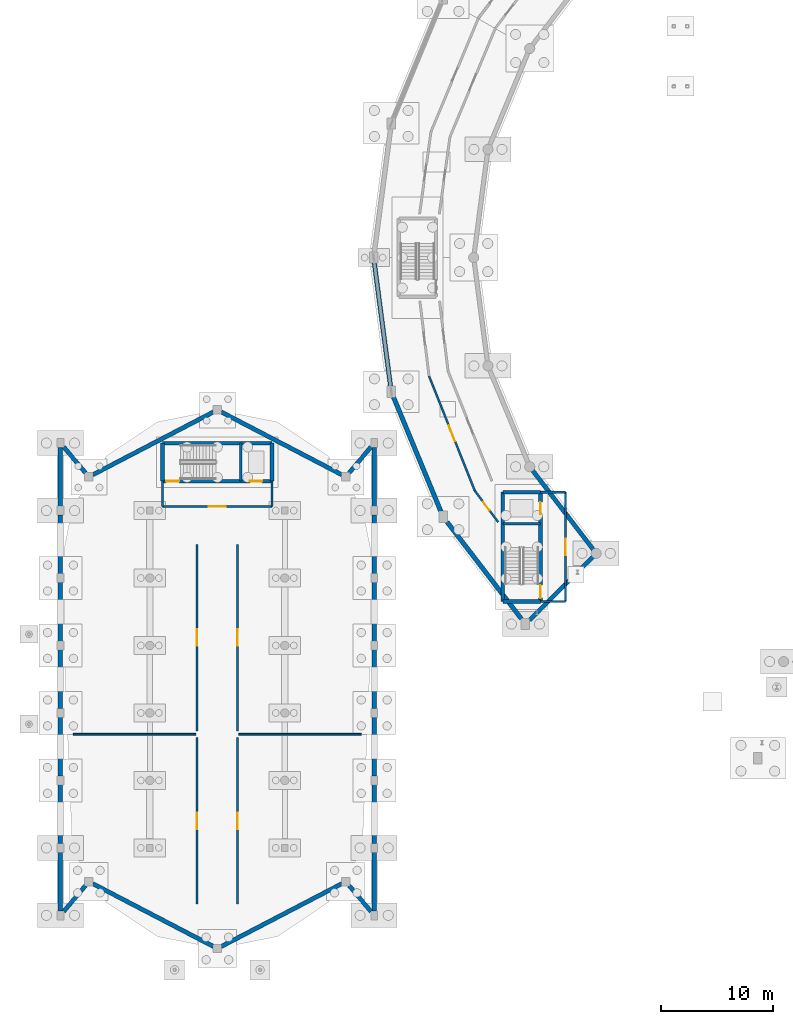
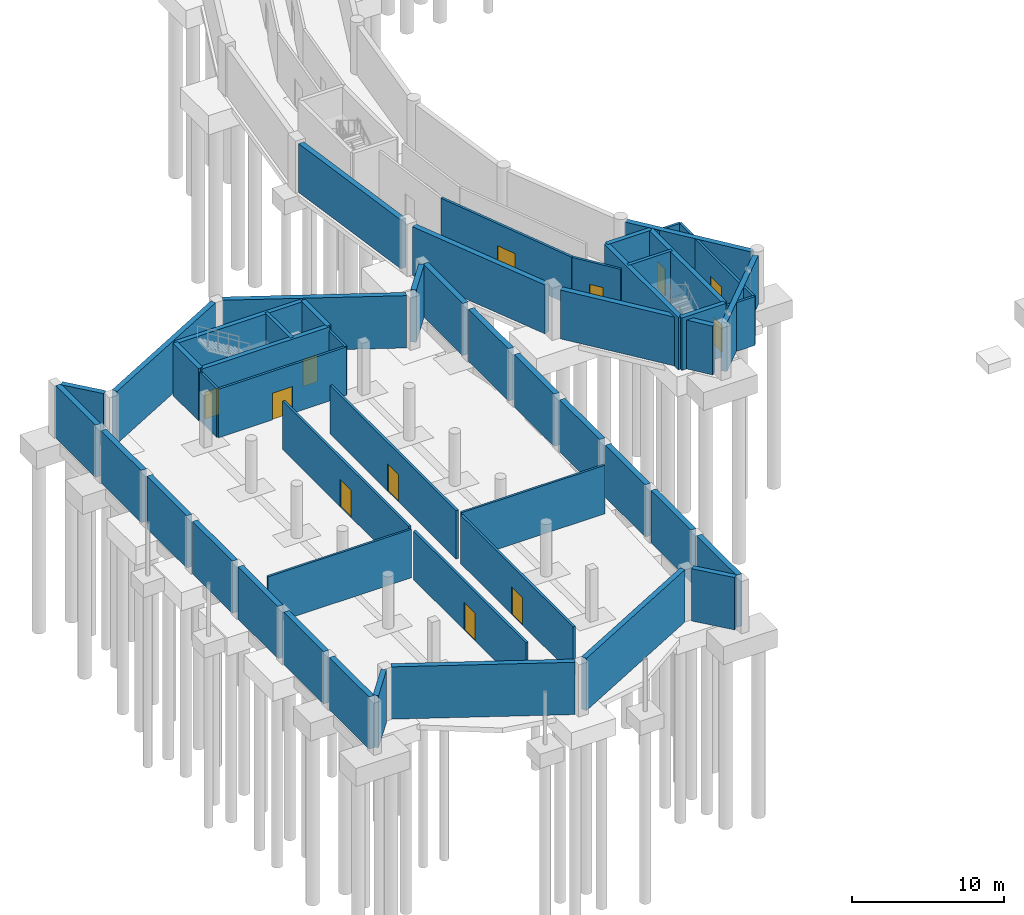
# One storey, part 30 of 43: 51 walls, 12 doors, 12 openings.
"""IFC4 building model written with IfcOpenShell, lengths in metres."""

from ifc_helpers import new_model, si_unit, direction, frame, frame_2d, origin, place, context, subcontext, project, spatial, rectangle, extrude, material, layer, layer_set, type_object, element, fill, save


model = new_model("IFC4")

# Units and contexts
model_context = context("Model", 3, precision=1e-05, world=origin(), true_north=direction((0.0, 1.0)))
body_context = subcontext(model_context, "Body", "Model", "MODEL_VIEW")
ifc_project = project(units=[si_unit("LENGTHUNIT", "METRE"), si_unit("AREAUNIT", "SQUARE_METRE"), si_unit("VOLUMEUNIT", "CUBIC_METRE"), si_unit("PLANEANGLEUNIT", "RADIAN"), si_unit("MASSUNIT", "GRAM", prefix="KILO")], contexts=[model_context])

# Site, building, storey
site_placement = place(None, origin())
site = spatial("IfcSite", under=ifc_project, at=site_placement, CompositionType="ELEMENT")
building_placement = place(site_placement, origin())
building = spatial("IfcBuilding", under=site, at=building_placement, Name="Vespera Passage Community Centre", CompositionType="ELEMENT")
storey_placement = place(building_placement, frame((0.0, 0.0, -4.199951171875)))
storey = spatial("IfcBuildingStorey", under=building, at=storey_placement, Name="B1", CompositionType="ELEMENT", Elevation=-4.199951171875)

# Wall, openings, doors
ifc_material_1 = material(Name="Concrete f'c 45 MPa", Category="concrete")
ifc_layer_1 = layer(ifc_material_1, 0.340087890625)
ifc_layer_set_1 = layer_set([ifc_layer_1], Name="Concrete f'c 45 MPa")
wall_type_1 = type_object("IfcWallType", Name="WT-CORE-340I", PredefinedType="SHEAR", material=ifc_layer_set_1)
wall_1_placement = place(storey_placement, frame((46.73095703125, 44.6298828125, 0.0), z_axis=(0.0, 0.0, 1.0), x_axis=(0.0, -1.0, 0.0)))
wall_1 = element("IfcWall", 1, at=wall_1_placement, inside=storey, type_object=wall_type_1, Name="Core C3 B1 Shear Wall FRONT", PredefinedType="SHEAR", context=body_context, shape_type="SweptSolid", body=[
    extrude(rectangle(XDim=9.72998046875, YDim=0.340087890625, at=frame_2d((4.864990234375, 0.0))), origin(), (0.0, 0.0, 1.0), 4.199951171875),
])
opening_1_placement = place(wall_1_placement, frame((8.264892578125, 0.0, 0.0)))
opening_1 = element("IfcOpeningElement", 2, at=opening_1_placement, cuts=wall_1, Name="Opening DT-STAIR-90", PredefinedType="OPENING", context=body_context, shape_type="SweptSolid", body=[
    extrude(rectangle(XDim=1.14990234375, YDim=2.14990234375, at=frame_2d((0.574951171875, 1.074951171875))), frame((0.0, 0.179931640625, 0.0), z_axis=(0.0, -1.0, 0.0), x_axis=(1.0, 0.0, 0.0)), (0.0, 0.0, 1.0), 0.360107421875),
])
opening_2_placement = place(wall_1_placement, frame((0.8701171875, 0.0, 0.0)))
opening_2 = element("IfcOpeningElement", 3, at=opening_2_placement, cuts=wall_1, Name="Opening DT-LIFT-110", PredefinedType="OPENING", context=body_context, shape_type="SweptSolid", body=[
    extrude(rectangle(XDim=1.10009765625, YDim=2.14990234375, at=frame_2d((0.550048828125, 1.074951171875))), frame((0.0, 0.179931640625, 0.0), z_axis=(0.0, -1.0, 0.0), x_axis=(1.0, 0.0, 0.0)), (0.0, 0.0, 1.0), 0.360107421875),
])
ifc_material_2 = material(Name="Painted hollow-metal acoustic door", Category="steel")
door_type_1 = type_object("IfcDoorType", Name="DT-LIFT-110", OperationType="NOTDEFINED", PredefinedType="DOOR", material=ifc_material_2)
door_1_placement = place(opening_2_placement, origin())
door_1 = element("IfcDoor", 4, at=door_1_placement, inside=storey, type_object=door_type_1, Name="Elevator EL-01 B1 Landing Door LD-009", OperationType="SLIDING_TO_LEFT", OverallHeight=2.14990234375, OverallWidth=1.10009765625, PredefinedType="DOOR", context=body_context, shape_type="SweptSolid", body=[
    extrude(rectangle(XDim=1.10009765625, YDim=2.14990234375, at=frame_2d((0.550048828125, 1.074951171875))), frame((0.0, 0.02490234375, 0.0), z_axis=(0.0, -1.0, 0.0), x_axis=(1.0, 0.0, 0.0)), (0.0, 0.0, 1.0), 0.050048828125),
])
fill(opening_2, door_1)
ifc_material_3 = material(Name="Painted hollow-metal acoustic door", Category="steel")
door_type_2 = type_object("IfcDoorType", Name="DT-STAIR-90", OperationType="NOTDEFINED", PredefinedType="DOOR", material=ifc_material_3)
door_2_placement = place(opening_1_placement, origin())
door_2 = element("IfcDoor", 5, at=door_2_placement, inside=storey, type_object=door_type_2, Name="Core C3 B1 Exit Stair Door D-072", OperationType="SINGLE_SWING_RIGHT", OverallHeight=2.14990234375, OverallWidth=1.14990234375, PredefinedType="DOOR", context=body_context, shape_type="SweptSolid", body=[
    extrude(rectangle(XDim=1.14990234375, YDim=2.14990234375, at=frame_2d((0.574951171875, 1.074951171875))), frame((0.0, 0.02490234375, 0.0), z_axis=(0.0, -1.0, 0.0), x_axis=(1.0, 0.0, 0.0)), (0.0, 0.0, 1.0), 0.050048828125),
])
fill(opening_1, door_2)

# Walls
wall_2_placement = place(storey_placement, frame((46.73095703125, 34.89990234375, 0.0), z_axis=(0.0, 0.0, 1.0), x_axis=(-1.0, 0.0, 0.0)))
element("IfcWall", 6, at=wall_2_placement, inside=storey, type_object=wall_type_1, Name="Core C3 B1 Shear Wall LEFT", PredefinedType="SHEAR", context=body_context, shape_type="SweptSolid", body=[
    extrude(rectangle(XDim=3.33984375, YDim=0.340087890625, at=frame_2d((1.669921875, 0.0))), origin(), (0.0, 0.0, 1.0), 4.199951171875),
])
wall_3_placement = place(storey_placement, frame((43.39111328125, 34.89990234375, 0.0), z_axis=(0.0, 0.0, 1.0), x_axis=(0.0, 1.0, 0.0)))
element("IfcWall", 7, at=wall_3_placement, inside=storey, type_object=wall_type_1, Name="Core C3 B1 Shear Wall BACK", PredefinedType="SHEAR", context=body_context, shape_type="SweptSolid", body=[
    extrude(rectangle(XDim=9.72998046875, YDim=0.340087890625, at=frame_2d((4.864990234375, 0.0))), origin(), (0.0, 0.0, 1.0), 4.199951171875),
])
wall_4_placement = place(storey_placement, frame((43.39111328125, 44.6298828125, 0.0), z_axis=(0.0, 0.0, 1.0), x_axis=(1.0, 0.0, 0.0)))
element("IfcWall", 8, at=wall_4_placement, inside=storey, type_object=wall_type_1, Name="Core C3 B1 Shear Wall RIGHT", PredefinedType="SHEAR", context=body_context, shape_type="SweptSolid", body=[
    extrude(rectangle(XDim=3.33984375, YDim=0.340087890625, at=frame_2d((1.669921875, 0.0))), origin(), (0.0, 0.0, 1.0), 4.199951171875),
])

# Wall, openings, doors
wall_5_placement = place(storey_placement, frame((22.864990234375, 45.610107421875, 0.0), z_axis=(0.0, 0.0, 1.0), x_axis=(-1.0, 0.0, 0.0)))
wall_5 = element("IfcWall", 9, at=wall_5_placement, inside=storey, type_object=wall_type_1, Name="Core C5 B1 Shear Wall FRONT", PredefinedType="SHEAR", context=body_context, shape_type="SweptSolid", body=[
    extrude(rectangle(XDim=9.72998046875, YDim=0.340087890625, at=frame_2d((4.864990234375, 0.0))), origin(), (0.0, 0.0, 1.0), 4.199951171875),
])
opening_3_placement = place(wall_5_placement, frame((8.264892578125, 0.0, 0.0)))
opening_3 = element("IfcOpeningElement", 10, at=opening_3_placement, cuts=wall_5, Name="Opening DT-STAIR-90", PredefinedType="OPENING", context=body_context, shape_type="SweptSolid", body=[
    extrude(rectangle(XDim=1.14990234375, YDim=2.14990234375, at=frame_2d((0.574951171875, 1.074951171875))), frame((0.0, 0.179931640625, 0.0), z_axis=(0.0, -1.0, 0.0), x_axis=(1.0, 0.0, 0.0)), (0.0, 0.0, 1.0), 0.360107421875),
])
opening_4_placement = place(wall_5_placement, frame((0.8701171875, 0.0, 0.0)))
opening_4 = element("IfcOpeningElement", 11, at=opening_4_placement, cuts=wall_5, Name="Opening DT-LIFT-110", PredefinedType="OPENING", context=body_context, shape_type="SweptSolid", body=[
    extrude(rectangle(XDim=1.10009765625, YDim=2.14990234375, at=frame_2d((0.550048828125, 1.074951171875))), frame((0.0, 0.179931640625, 0.0), z_axis=(0.0, -1.0, 0.0), x_axis=(1.0, 0.0, 0.0)), (0.0, 0.0, 1.0), 0.360107421875),
])
door_3_placement = place(opening_4_placement, origin())
door_3 = element("IfcDoor", 12, at=door_3_placement, inside=storey, type_object=door_type_1, Name="Elevator EL-04 B1 Landing Door LD-023", OperationType="SLIDING_TO_LEFT", OverallHeight=2.14990234375, OverallWidth=1.10009765625, PredefinedType="DOOR", context=body_context, shape_type="SweptSolid", body=[
    extrude(rectangle(XDim=1.10009765625, YDim=2.14990234375, at=frame_2d((0.550048828125, 1.074951171875))), frame((0.0, 0.02490234375, 0.0), z_axis=(0.0, -1.0, 0.0), x_axis=(1.0, 0.0, 0.0)), (0.0, 0.0, 1.0), 0.050048828125),
])
fill(opening_4, door_3)
door_4_placement = place(opening_3_placement, origin())
door_4 = element("IfcDoor", 13, at=door_4_placement, inside=storey, type_object=door_type_2, Name="Core C5 B1 Exit Stair Door D-100", OperationType="SINGLE_SWING_RIGHT", OverallHeight=2.14990234375, OverallWidth=1.14990234375, PredefinedType="DOOR", context=body_context, shape_type="SweptSolid", body=[
    extrude(rectangle(XDim=1.14990234375, YDim=2.14990234375, at=frame_2d((0.574951171875, 1.074951171875))), frame((0.0, 0.02490234375, 0.0), z_axis=(0.0, -1.0, 0.0), x_axis=(1.0, 0.0, 0.0)), (0.0, 0.0, 1.0), 0.050048828125),
])
fill(opening_3, door_4)

# Walls
wall_6_placement = place(storey_placement, frame((13.135009765625, 45.610107421875, 0.0), z_axis=(0.0, 0.0, 1.0), x_axis=(0.0, 1.0, 0.0)))
element("IfcWall", 14, at=wall_6_placement, inside=storey, type_object=wall_type_1, Name="Core C5 B1 Shear Wall LEFT", PredefinedType="SHEAR", context=body_context, shape_type="SweptSolid", body=[
    extrude(rectangle(XDim=3.3798828125, YDim=0.340087890625, at=frame_2d((1.68994140625, 0.0))), origin(), (0.0, 0.0, 1.0), 4.199951171875),
])
wall_7_placement = place(storey_placement, frame((13.135009765625, 48.989990234375, 0.0), z_axis=(0.0, 0.0, 1.0), x_axis=(1.0, 0.0, 0.0)))
element("IfcWall", 15, at=wall_7_placement, inside=storey, type_object=wall_type_1, Name="Core C5 B1 Shear Wall BACK", PredefinedType="SHEAR", context=body_context, shape_type="SweptSolid", body=[
    extrude(rectangle(XDim=9.72998046875, YDim=0.340087890625, at=frame_2d((4.864990234375, 0.0))), origin(), (0.0, 0.0, 1.0), 4.199951171875),
])
wall_8_placement = place(storey_placement, frame((22.864990234375, 48.989990234375, 0.0), z_axis=(0.0, 0.0, 1.0), x_axis=(0.0, -1.0, 0.0)))
element("IfcWall", 16, at=wall_8_placement, inside=storey, type_object=wall_type_1, Name="Core C5 B1 Shear Wall RIGHT", PredefinedType="SHEAR", context=body_context, shape_type="SweptSolid", body=[
    extrude(rectangle(XDim=3.3798828125, YDim=0.340087890625, at=frame_2d((1.68994140625, 0.0))), origin(), (0.0, 0.0, 1.0), 4.199951171875),
])

# Wall, opening, door
ifc_material_4 = material(Name="Gypsum board acoustic stud partition")
ifc_layer_2 = layer(ifc_material_4, 0.179931640625)
ifc_layer_set_2 = layer_set([ifc_layer_2], Name="Gypsum board acoustic stud partition")
wall_type_2 = type_object("IfcWallType", Name="WT-CORR-180I", PredefinedType="PARTITIONING", material=ifc_layer_set_2)
wall_9_placement = place(storey_placement, frame((48.98095703125, 34.89990234375, 0.0), z_axis=(0.0, 0.0, 1.0), x_axis=(0.0, 1.0, 0.0)))
wall_9 = element("IfcWall", 17, at=wall_9_placement, inside=storey, type_object=wall_type_2, Name="Core C3 B1 Lift Lobby Front Wall", PredefinedType="PARTITIONING", context=body_context, shape_type="SweptSolid", body=[
    extrude(rectangle(XDim=9.72998046875, YDim=0.179931640625, at=frame_2d((4.864990234375, 0.0))), origin(), (0.0, 0.0, 1.0), 3.9150390625),
])
opening_5_placement = place(wall_9_placement, frame((4.114990234375, 0.0, 0.0)))
opening_5 = element("IfcOpeningElement", 18, at=opening_5_placement, cuts=wall_9, Name="Opening DT-CORR-150", PredefinedType="OPENING", context=body_context, shape_type="SweptSolid", body=[
    extrude(rectangle(XDim=1.5, YDim=2.14990234375, at=frame_2d((0.75, 1.074951171875))), frame((0.0, 0.099853515625, 0.0), z_axis=(0.0, -1.0, 0.0), x_axis=(1.0, 0.0, 0.0)), (0.0, 0.0, 1.0), 0.199951171875),
])
ifc_material_5 = material(Name="Painted hollow-metal acoustic door", Category="steel")
door_type_3 = type_object("IfcDoorType", Name="DT-CORR-150", OperationType="NOTDEFINED", PredefinedType="DOOR", material=ifc_material_5)
door_5_placement = place(opening_5_placement, origin())
door_5 = element("IfcDoor", 19, at=door_5_placement, inside=storey, type_object=door_type_3, Name="Core C3 B1 Lift Lobby Door D-073", OperationType="SINGLE_SWING_LEFT", OverallHeight=2.14990234375, OverallWidth=1.5, PredefinedType="DOOR", context=body_context, shape_type="SweptSolid", body=[
    extrude(rectangle(XDim=1.5, YDim=2.14990234375, at=frame_2d((0.75, 1.074951171875))), frame((0.0, 0.02490234375, 0.0), z_axis=(0.0, -1.0, 0.0), x_axis=(1.0, 0.0, 0.0)), (0.0, 0.0, 1.0), 0.050048828125),
])
fill(opening_5, door_5)

# Walls
for number, where, z_axis, x_axis, name in (
    (20, (46.73095703125, 34.89990234375, 0.0), (0.0, 0.0, 1.0), (1.0, 0.0, 0.0), "Core C3 B1 Lift Lobby Side Wall L"),
    (21, (46.73095703125, 44.6298828125, 0.0), (0.0, 0.0, 1.0), (1.0, 0.0, 0.0), "Core C3 B1 Lift Lobby Side Wall R"),
):
    element("IfcWall", number, at=place(storey_placement, frame(where, z_axis=z_axis, x_axis=x_axis)), inside=storey, type_object=wall_type_2, Name=name, PredefinedType="PARTITIONING", context=body_context, shape_type="SweptSolid", body=[
        extrude(rectangle(XDim=2.25, YDim=0.179931640625, at=frame_2d((1.125, 0.0))), origin(), (0.0, 0.0, 1.0), 3.9150390625),
    ])

# Wall, opening, door
wall_10_placement = place(storey_placement, frame((13.135009765625, 43.360107421875, 0.0), z_axis=(0.0, 0.0, 1.0), x_axis=(1.0, 0.0, 0.0)))
wall_10 = element("IfcWall", 22, at=wall_10_placement, inside=storey, type_object=wall_type_2, Name="Core C5 B1 Lift Lobby Front Wall", PredefinedType="PARTITIONING", context=body_context, shape_type="SweptSolid", body=[
    extrude(rectangle(XDim=9.72998046875, YDim=0.179931640625, at=frame_2d((4.864990234375, 0.0))), origin(), (0.0, 0.0, 1.0), 3.89501953125),
])
opening_6_placement = place(wall_10_placement, frame((4.114990234375, 0.0, 0.0)))
opening_6 = element("IfcOpeningElement", 23, at=opening_6_placement, cuts=wall_10, Name="Opening DT-CORR-150", PredefinedType="OPENING", context=body_context, shape_type="SweptSolid", body=[
    extrude(rectangle(XDim=1.5, YDim=2.14990234375, at=frame_2d((0.75, 1.074951171875))), frame((0.0, 0.099853515625, 0.0), z_axis=(0.0, -1.0, 0.0), x_axis=(1.0, 0.0, 0.0)), (0.0, 0.0, 1.0), 0.199951171875),
])
door_6_placement = place(opening_6_placement, origin())
door_6 = element("IfcDoor", 24, at=door_6_placement, inside=storey, type_object=door_type_3, Name="Core C5 B1 Lift Lobby Door D-101", OperationType="SINGLE_SWING_LEFT", OverallHeight=2.14990234375, OverallWidth=1.5, PredefinedType="DOOR", context=body_context, shape_type="SweptSolid", body=[
    extrude(rectangle(XDim=1.5, YDim=2.14990234375, at=frame_2d((0.75, 1.074951171875))), frame((0.0, 0.02490234375, 0.0), z_axis=(0.0, -1.0, 0.0), x_axis=(1.0, 0.0, 0.0)), (0.0, 0.0, 1.0), 0.050048828125),
])
fill(opening_6, door_6)

# Walls
for number, where, z_axis, x_axis, name in (
    (25, (13.135009765625, 45.610107421875, 0.0), (0.0, 0.0, 1.0), (0.0, -1.0, 0.0), "Core C5 B1 Lift Lobby Side Wall L"),
    (26, (22.864990234375, 45.610107421875, 0.0), (0.0, 0.0, 1.0), (0.0, -1.0, 0.0), "Core C5 B1 Lift Lobby Side Wall R"),
):
    element("IfcWall", number, at=place(storey_placement, frame(where, z_axis=z_axis, x_axis=x_axis)), inside=storey, type_object=wall_type_2, Name=name, PredefinedType="PARTITIONING", context=body_context, shape_type="SweptSolid", body=[
        extrude(rectangle(XDim=2.25, YDim=0.179931640625, at=frame_2d((1.125, 0.0))), origin(), (0.0, 0.0, 1.0), 3.89501953125),
    ])

# Wall, opening, door
wall_11_placement = place(storey_placement, frame((36.82861328125, 54.956787109375, 0.0), z_axis=(0.0, 0.0, 1.0), x_axis=(0.370918279433, -0.928665510279, 0.0)))
wall_11 = element("IfcWall", 27, at=wall_11_placement, inside=storey, type_object=wall_type_2, Name="B1 Interior Partition V4-B1-CO10.1", PredefinedType="PARTITIONING", context=body_context, shape_type="SweptSolid", body=[
    extrude(rectangle(XDim=10.961181640625, YDim=0.179931640625, at=frame_2d((5.48046875, 0.0))), origin(), (0.0, 0.0, 1.0), 3.9150390625),
])
opening_7_placement = place(wall_11_placement, frame((4.73046875, 0.0, 0.0)))
opening_7 = element("IfcOpeningElement", 28, at=opening_7_placement, cuts=wall_11, Name="Opening DT-CORR-150", PredefinedType="OPENING", context=body_context, shape_type="SweptSolid", body=[
    extrude(rectangle(XDim=1.5, YDim=2.14990234375, at=frame_2d((0.75, 1.074951171875))), frame((0.0, 0.099853515625, 0.0), z_axis=(0.0, -1.0, 0.0), x_axis=(1.0, 0.0, 0.0)), (0.0, 0.0, 1.0), 0.199951171875),
])
door_7_placement = place(opening_7_placement, origin())
door_7 = element("IfcDoor", 29, at=door_7_placement, inside=storey, type_object=door_type_3, Name="B1 Interior Door D-137", OperationType="SINGLE_SWING_LEFT", OverallHeight=2.14990234375, OverallWidth=1.5, PredefinedType="DOOR", context=body_context, shape_type="SweptSolid", body=[
    extrude(rectangle(XDim=1.5, YDim=2.14990234375, at=frame_2d((0.75, 1.074951171875))), frame((0.0, 0.02490234375, 0.0), z_axis=(0.0, -1.0, 0.0), x_axis=(1.0, 0.0, 0.0)), (0.0, 0.0, 1.0), 0.050048828125),
])
fill(opening_7, door_7)

wall_12_placement = place(storey_placement, frame((40.894287109375, 44.777587890625, 0.0), z_axis=(0.0, 0.0, 1.0), x_axis=(0.59610205182, -0.802908677134, 0.0)))
wall_12 = element("IfcWall", 30, at=wall_12_placement, inside=storey, type_object=wall_type_2, Name="B1 Interior Partition V4-B1-CO11.1", PredefinedType="PARTITIONING", context=body_context, shape_type="SweptSolid", body=[
    extrude(rectangle(XDim=3.483642578125, YDim=0.179931640625, at=frame_2d((1.74169921875, 0.0))), origin(), (0.0, 0.0, 1.0), 3.9150390625),
])
opening_8_placement = place(wall_12_placement, frame((1.26708984375, 0.0, 0.0)))
opening_8 = element("IfcOpeningElement", 31, at=opening_8_placement, cuts=wall_12, Name="Opening DT-CORR-95", PredefinedType="OPENING", context=body_context, shape_type="SweptSolid", body=[
    extrude(rectangle(XDim=0.949951171875, YDim=2.10009765625, at=frame_2d((0.47509765625, 1.050048828125))), frame((0.0, 0.099853515625, 0.0), z_axis=(0.0, -1.0, 0.0), x_axis=(1.0, 0.0, 0.0)), (0.0, 0.0, 1.0), 0.199951171875),
])
ifc_material_6 = material(Name="Painted hollow-metal acoustic door", Category="steel")
door_type_4 = type_object("IfcDoorType", Name="DT-CORR-95", OperationType="NOTDEFINED", PredefinedType="DOOR", material=ifc_material_6)
door_8_placement = place(opening_8_placement, origin())
door_8 = element("IfcDoor", 32, at=door_8_placement, inside=storey, type_object=door_type_4, Name="B1 Interior Door D-139", OperationType="SINGLE_SWING_LEFT", OverallHeight=2.10009765625, OverallWidth=0.949951171875, PredefinedType="DOOR", context=body_context, shape_type="SweptSolid", body=[
    extrude(rectangle(XDim=0.949951171875, YDim=2.10009765625, at=frame_2d((0.47509765625, 1.050048828125))), frame((0.0, 0.02490234375, 0.0), z_axis=(0.0, -1.0, 0.0), x_axis=(1.0, 0.0, 0.0)), (0.0, 0.0, 1.0), 0.050048828125),
])
fill(opening_8, door_8)

wall_13_placement = place(storey_placement, frame((16.199951171875, 8.0, 0.0), z_axis=(0.0, 0.0, 1.0), x_axis=(0.0, 1.0, 0.0)))
wall_13 = element("IfcWall", 33, at=wall_13_placement, inside=storey, type_object=wall_type_2, Name="B1 Interior Partition V1-B1-CWS.1", PredefinedType="PARTITIONING", context=body_context, shape_type="SweptSolid", body=[
    extrude(rectangle(XDim=14.800048828125, YDim=0.179931640625, at=frame_2d((7.39990234375, 0.0))), origin(), (0.0, 0.0, 1.0), 3.89501953125),
])
opening_9_placement = place(wall_13_placement, frame((6.675048828125, 0.0, 0.0)))
opening_9 = element("IfcOpeningElement", 34, at=opening_9_placement, cuts=wall_13, Name="Opening DT-PLANT-145", PredefinedType="OPENING", context=body_context, shape_type="SweptSolid", body=[
    extrude(rectangle(XDim=1.449951171875, YDim=2.199951171875, at=frame_2d((0.72509765625, 1.10009765625))), frame((0.0, 0.099853515625, 0.0), z_axis=(0.0, -1.0, 0.0), x_axis=(1.0, 0.0, 0.0)), (0.0, 0.0, 1.0), 0.199951171875),
])
ifc_material_7 = material(Name="Painted hollow-metal acoustic door", Category="steel")
door_type_5 = type_object("IfcDoorType", Name="DT-PLANT-145", OperationType="NOTDEFINED", PredefinedType="DOOR", material=ifc_material_7)
door_9_placement = place(opening_9_placement, origin())
door_9 = element("IfcDoor", 35, at=door_9_placement, inside=storey, type_object=door_type_5, Name="B1 Interior Door D-335", OperationType="SINGLE_SWING_LEFT", OverallHeight=2.199951171875, OverallWidth=1.449951171875, PredefinedType="DOOR", context=body_context, shape_type="SweptSolid", body=[
    extrude(rectangle(XDim=1.449951171875, YDim=2.199951171875, at=frame_2d((0.72509765625, 1.10009765625))), frame((0.0, 0.02490234375, 0.0), z_axis=(0.0, -1.0, 0.0), x_axis=(1.0, 0.0, 0.0)), (0.0, 0.0, 1.0), 0.050048828125),
])
fill(opening_9, door_9)

wall_14_placement = place(storey_placement, frame((16.199951171875, 23.39990234375, 0.0), z_axis=(0.0, 0.0, 1.0), x_axis=(0.0, 1.0, 0.0)))
wall_14 = element("IfcWall", 36, at=wall_14_placement, inside=storey, type_object=wall_type_2, Name="B1 Interior Partition V1-B1-CWN.1", PredefinedType="PARTITIONING", context=body_context, shape_type="SweptSolid", body=[
    extrude(rectangle(XDim=16.60009765625, YDim=0.179931640625, at=frame_2d((8.300048828125, 0.0))), origin(), (0.0, 0.0, 1.0), 3.89501953125),
])
opening_10_placement = place(wall_14_placement, frame((7.574951171875, 0.0, 0.0)))
opening_10 = element("IfcOpeningElement", 37, at=opening_10_placement, cuts=wall_14, Name="Opening DT-PLANT-145", PredefinedType="OPENING", context=body_context, shape_type="SweptSolid", body=[
    extrude(rectangle(XDim=1.449951171875, YDim=2.199951171875, at=frame_2d((0.72509765625, 1.10009765625))), frame((0.0, 0.099853515625, 0.0), z_axis=(0.0, -1.0, 0.0), x_axis=(1.0, 0.0, 0.0)), (0.0, 0.0, 1.0), 0.199951171875),
])
door_10_placement = place(opening_10_placement, origin())
door_10 = element("IfcDoor", 38, at=door_10_placement, inside=storey, type_object=door_type_5, Name="B1 Interior Door D-336", OperationType="SINGLE_SWING_RIGHT", OverallHeight=2.199951171875, OverallWidth=1.449951171875, PredefinedType="DOOR", context=body_context, shape_type="SweptSolid", body=[
    extrude(rectangle(XDim=1.449951171875, YDim=2.199951171875, at=frame_2d((0.72509765625, 1.10009765625))), frame((0.0, 0.02490234375, 0.0), z_axis=(0.0, -1.0, 0.0), x_axis=(1.0, 0.0, 0.0)), (0.0, 0.0, 1.0), 0.050048828125),
])
fill(opening_10, door_10)

wall_15_placement = place(storey_placement, frame((19.800048828125, 8.0, 0.0), z_axis=(0.0, 0.0, 1.0), x_axis=(0.0, 1.0, 0.0)))
wall_15 = element("IfcWall", 39, at=wall_15_placement, inside=storey, type_object=wall_type_2, Name="B1 Interior Partition V1-B1-CES.1", PredefinedType="PARTITIONING", context=body_context, shape_type="SweptSolid", body=[
    extrude(rectangle(XDim=14.800048828125, YDim=0.179931640625, at=frame_2d((7.39990234375, 0.0))), origin(), (0.0, 0.0, 1.0), 3.89501953125),
])
opening_11_placement = place(wall_15_placement, frame((6.675048828125, 0.0, 0.0)))
opening_11 = element("IfcOpeningElement", 40, at=opening_11_placement, cuts=wall_15, Name="Opening DT-PLANT-145", PredefinedType="OPENING", context=body_context, shape_type="SweptSolid", body=[
    extrude(rectangle(XDim=1.449951171875, YDim=2.199951171875, at=frame_2d((0.72509765625, 1.10009765625))), frame((0.0, 0.099853515625, 0.0), z_axis=(0.0, -1.0, 0.0), x_axis=(1.0, 0.0, 0.0)), (0.0, 0.0, 1.0), 0.199951171875),
])
door_11_placement = place(opening_11_placement, origin())
door_11 = element("IfcDoor", 41, at=door_11_placement, inside=storey, type_object=door_type_5, Name="B1 Interior Door D-337", OperationType="SINGLE_SWING_LEFT", OverallHeight=2.199951171875, OverallWidth=1.449951171875, PredefinedType="DOOR", context=body_context, shape_type="SweptSolid", body=[
    extrude(rectangle(XDim=1.449951171875, YDim=2.199951171875, at=frame_2d((0.72509765625, 1.10009765625))), frame((0.0, 0.02490234375, 0.0), z_axis=(0.0, -1.0, 0.0), x_axis=(1.0, 0.0, 0.0)), (0.0, 0.0, 1.0), 0.050048828125),
])
fill(opening_11, door_11)

wall_16_placement = place(storey_placement, frame((19.800048828125, 23.39990234375, 0.0), z_axis=(0.0, 0.0, 1.0), x_axis=(0.0, 1.0, 0.0)))
wall_16 = element("IfcWall", 42, at=wall_16_placement, inside=storey, type_object=wall_type_2, Name="B1 Interior Partition V1-B1-CEN.1", PredefinedType="PARTITIONING", context=body_context, shape_type="SweptSolid", body=[
    extrude(rectangle(XDim=16.60009765625, YDim=0.179931640625, at=frame_2d((8.300048828125, 0.0))), origin(), (0.0, 0.0, 1.0), 3.89501953125),
])
opening_12_placement = place(wall_16_placement, frame((7.574951171875, 0.0, 0.0)))
opening_12 = element("IfcOpeningElement", 43, at=opening_12_placement, cuts=wall_16, Name="Opening DT-PLANT-145", PredefinedType="OPENING", context=body_context, shape_type="SweptSolid", body=[
    extrude(rectangle(XDim=1.449951171875, YDim=2.199951171875, at=frame_2d((0.72509765625, 1.10009765625))), frame((0.0, 0.099853515625, 0.0), z_axis=(0.0, -1.0, 0.0), x_axis=(1.0, 0.0, 0.0)), (0.0, 0.0, 1.0), 0.199951171875),
])
door_12_placement = place(opening_12_placement, origin())
door_12 = element("IfcDoor", 44, at=door_12_placement, inside=storey, type_object=door_type_5, Name="B1 Interior Door D-338", OperationType="SINGLE_SWING_RIGHT", OverallHeight=2.199951171875, OverallWidth=1.449951171875, PredefinedType="DOOR", context=body_context, shape_type="SweptSolid", body=[
    extrude(rectangle(XDim=1.449951171875, YDim=2.199951171875, at=frame_2d((0.72509765625, 1.10009765625))), frame((0.0, 0.02490234375, 0.0), z_axis=(0.0, -1.0, 0.0), x_axis=(1.0, 0.0, 0.0)), (0.0, 0.0, 1.0), 0.050048828125),
])
fill(opening_12, door_12)

# Walls
ifc_material_8 = material(Name="Concrete f'c 45 MPa", Category="concrete")
ifc_layer_3 = layer(ifc_material_8, 0.239990234375)
ifc_layer_set_3 = layer_set([ifc_layer_3], Name="Concrete f'c 45 MPa")
wall_type_3 = type_object("IfcWallType", Name="WT-DIV-240I", PredefinedType="SHEAR", material=ifc_layer_set_3)
wall_17_placement = place(storey_placement, frame((46.73095703125, 41.840087890625, 0.0), z_axis=(0.0, 0.0, 1.0), x_axis=(-1.0, 0.0, 0.0)))
element("IfcWall", 45, at=wall_17_placement, inside=storey, type_object=wall_type_3, Name="Core C3 B1 Hoistway Divider Wall", PredefinedType="SHEAR", context=body_context, shape_type="SweptSolid", body=[
    extrude(rectangle(XDim=3.33984375, YDim=0.239990234375, at=frame_2d((1.669921875, 0.0))), origin(), (0.0, 0.0, 1.0), 4.199951171875),
])
wall_18_placement = place(storey_placement, frame((20.074951171875, 45.610107421875, 0.0), z_axis=(0.0, 0.0, 1.0), x_axis=(0.0, 1.0, 0.0)))
element("IfcWall", 46, at=wall_18_placement, inside=storey, type_object=wall_type_3, Name="Core C5 B1 Hoistway Divider Wall", PredefinedType="SHEAR", context=body_context, shape_type="SweptSolid", body=[
    extrude(rectangle(XDim=3.3798828125, YDim=0.239990234375, at=frame_2d((1.68994140625, 0.0))), origin(), (0.0, 0.0, 1.0), 4.199951171875),
])
ifc_material_9 = material(Name="Concrete f'c 45 MPa", Category="concrete")
ifc_layer_4 = layer(ifc_material_9, 0.3798828125)
ifc_layer_set_4 = layer_set([ifc_layer_4], Name="Concrete f'c 45 MPa")
wall_type_4 = type_object("IfcWallType", Name="WT-RET-380E", PredefinedType="SHEAR", material=ifc_layer_set_4)
wall_19_placement = place(storey_placement, frame((45.998779296875, 46.619873046875, 0.0), z_axis=(0.0, 0.0, 1.0), x_axis=(0.608769580289, -0.793347085527, 0.0)))
element("IfcWall", 47, at=wall_19_placement, inside=storey, type_object=wall_type_4, Name="V4 B1 Inner Retaining Wall 14", PredefinedType="SHEAR", context=body_context, shape_type="SweptSolid", body=[
    extrude(rectangle(XDim=9.0048828125, YDim=0.3798828125, at=frame_2d((4.50244140625, 0.0))), origin(), (0.0, 0.0, 1.0), 3.919921875),
])
wall_20_placement = place(storey_placement, frame((51.413330078125, 38.913330078125, 0.0), z_axis=(0.0, 0.0, 1.0), x_axis=(-0.707106781187, -0.707106781187, 0.0)))
element("IfcWall", 48, at=wall_20_placement, inside=storey, type_object=wall_type_4, Name="V4 B1 Radial End Facade Wall END", PredefinedType="SHEAR", context=body_context, shape_type="SweptSolid", body=[
    extrude(rectangle(XDim=7.995361328125, YDim=0.3798828125, at=frame_2d((3.99755859375, 0.0))), origin(), (0.0, 0.0, 1.0), 3.919921875),
])
wall_21_placement = place(storey_placement, frame((4.333984375, 48.66259765625, 0.0), z_axis=(0.0, 0.0, 1.0), x_axis=(0.643796278673, -0.765196936459, 0.0)))
element("IfcWall", 49, at=wall_21_placement, inside=storey, type_object=wall_type_4, Name="V1 B1 N Apse Retaining Wall 1", PredefinedType="SHEAR", context=body_context, shape_type="SweptSolid", body=[
    extrude(rectangle(XDim=3.012451171875, YDim=0.3798828125, at=frame_2d((1.50634765625, 0.0))), origin(), (0.0, 0.0, 1.0), 4.199951171875),
])
for number, where, z_axis, x_axis, name in (
    (50, (6.925537109375, 46.18505859375, 0.0), (0.0, 0.0, 1.0), (0.887012674584, 0.46174507591, 0.0), "V1 B1 N Apse Retaining Wall 2"),
    (51, (18.352783203125, 51.766357421875, 0.0), (0.0, 0.0, 1.0), (0.887012674584, -0.46174507591, 0.0), "V1 B1 N Apse Retaining Wall 3"),
):
    element("IfcWall", number, at=place(storey_placement, frame(where, z_axis=z_axis, x_axis=x_axis)), inside=storey, type_object=wall_type_4, Name=name, PredefinedType="SHEAR", context=body_context, shape_type="SweptSolid", body=[
        extrude(rectangle(XDim=12.08740234375, YDim=0.3798828125, at=frame_2d((6.043701171875, 0.0))), origin(), (0.0, 0.0, 1.0), 4.199951171875),
    ])
for number, where, z_axis, x_axis, name in (
    (52, (29.7265625, 46.357421875, 0.0), (0.0, 0.0, 1.0), (0.643796278673, 0.765196936459, 0.0), "V1 B1 N Apse Retaining Wall 4"),
    (53, (31.666015625, 7.33740234375, 0.0), (0.0, 0.0, 1.0), (-0.643796278673, 0.765196936459, 0.0), "V1 B1 S Apse Retaining Wall 1"),
):
    element("IfcWall", number, at=place(storey_placement, frame(where, z_axis=z_axis, x_axis=x_axis)), inside=storey, type_object=wall_type_4, Name=name, PredefinedType="SHEAR", context=body_context, shape_type="SweptSolid", body=[
        extrude(rectangle(XDim=3.012451171875, YDim=0.3798828125, at=frame_2d((1.50634765625, 0.0))), origin(), (0.0, 0.0, 1.0), 4.199951171875),
    ])
for number, where, z_axis, x_axis, name in (
    (54, (29.074462890625, 9.81494140625, 0.0), (0.0, 0.0, 1.0), (-0.887012674584, -0.46174507591, 0.0), "V1 B1 S Apse Retaining Wall 2"),
    (55, (17.647216796875, 4.233642578125, 0.0), (0.0, 0.0, 1.0), (-0.887012674584, 0.46174507591, 0.0), "V1 B1 S Apse Retaining Wall 3"),
):
    element("IfcWall", number, at=place(storey_placement, frame(where, z_axis=z_axis, x_axis=x_axis)), inside=storey, type_object=wall_type_4, Name=name, PredefinedType="SHEAR", context=body_context, shape_type="SweptSolid", body=[
        extrude(rectangle(XDim=12.08740234375, YDim=0.3798828125, at=frame_2d((6.043701171875, 0.0))), origin(), (0.0, 0.0, 1.0), 4.199951171875),
    ])
wall_22_placement = place(storey_placement, frame((6.2734375, 9.642578125, 0.0), z_axis=(0.0, 0.0, 1.0), x_axis=(-0.643796278673, -0.765196936459, 0.0)))
element("IfcWall", 56, at=wall_22_placement, inside=storey, type_object=wall_type_4, Name="V1 B1 S Apse Retaining Wall 4", PredefinedType="SHEAR", context=body_context, shape_type="SweptSolid", body=[
    extrude(rectangle(XDim=3.012451171875, YDim=0.3798828125, at=frame_2d((1.50634765625, 0.0))), origin(), (0.0, 0.0, 1.0), 4.199951171875),
])
ifc_material_10 = material(Name="Concrete f'c 45 MPa", Category="concrete")
ifc_layer_5 = layer(ifc_material_10, 0.39990234375)
ifc_layer_set_5 = layer_set([ifc_layer_5], Name="Concrete f'c 45 MPa")
wall_type_5 = type_object("IfcWallType", Name="WT-RET-400E", PredefinedType="SHEAR", material=ifc_layer_set_5)
wall_23_placement = place(storey_placement, frame((33.408203125, 54.043701171875, 0.0), z_axis=(0.0, 0.0, 1.0), x_axis=(-0.130513242145, 0.991446566197, 0.0)))
element("IfcWall", 57, at=wall_23_placement, inside=storey, type_object=wall_type_5, Name="V4 B1 Outer Retaining Wall 12", PredefinedType="SHEAR", context=body_context, shape_type="SweptSolid", body=[
    extrude(rectangle(XDim=11.075927734375, YDim=0.39990234375, at=frame_2d((5.5380859375, 0.0))), origin(), (0.0, 0.0, 1.0), 3.919921875),
])
wall_24_placement = place(storey_placement, frame((37.878662109375, 42.927001953125, 0.0), z_axis=(0.0, 0.0, 1.0), x_axis=(-0.382695413149, 0.923874569817, 0.0)))
element("IfcWall", 58, at=wall_24_placement, inside=storey, type_object=wall_type_5, Name="V4 B1 Outer Retaining Wall 13", PredefinedType="SHEAR", context=body_context, shape_type="SweptSolid", body=[
    extrude(rectangle(XDim=11.002197265625, YDim=0.39990234375, at=frame_2d((5.5009765625, 0.0))), origin(), (0.0, 0.0, 1.0), 3.919921875),
])
wall_25_placement = place(storey_placement, frame((45.04248046875, 33.371337890625, 0.0), z_axis=(0.0, 0.0, 1.0), x_axis=(-0.608753590889, 0.79335935463, 0.0)))
element("IfcWall", 59, at=wall_25_placement, inside=storey, type_object=wall_type_5, Name="V4 B1 Outer Retaining Wall 14", PredefinedType="SHEAR", context=body_context, shape_type="SweptSolid", body=[
    extrude(rectangle(XDim=10.852294921875, YDim=0.39990234375, at=frame_2d((5.42626953125, 0.0))), origin(), (0.0, 0.0, 1.0), 3.919921875),
])
for number, where, z_axis, x_axis, name in (
    (60, (4.050048828125, 7.375, 0.0), (0.0, 0.0, 1.0), (0.0, 1.0, 0.0), "V1 B1 Retaining Wall W1"),
    (61, (31.949951171875, 12.625, 0.0), (0.0, 0.0, 1.0), (0.0, -1.0, 0.0), "V1 B1 Retaining Wall E1"),
    (62, (4.050048828125, 13.375, 0.0), (0.0, 0.0, 1.0), (0.0, 1.0, 0.0), "V1 B1 Retaining Wall W2"),
    (63, (31.949951171875, 18.625, 0.0), (0.0, 0.0, 1.0), (0.0, -1.0, 0.0), "V1 B1 Retaining Wall E2"),
    (64, (4.050048828125, 19.375, 0.0), (0.0, 0.0, 1.0), (0.0, 1.0, 0.0), "V1 B1 Retaining Wall W3"),
    (65, (31.949951171875, 24.625, 0.0), (0.0, 0.0, 1.0), (0.0, -1.0, 0.0), "V1 B1 Retaining Wall E3"),
    (66, (4.050048828125, 25.375, 0.0), (0.0, 0.0, 1.0), (0.0, 1.0, 0.0), "V1 B1 Retaining Wall W4"),
    (67, (31.949951171875, 30.625, 0.0), (0.0, 0.0, 1.0), (0.0, -1.0, 0.0), "V1 B1 Retaining Wall E4"),
    (68, (4.050048828125, 31.375, 0.0), (0.0, 0.0, 1.0), (0.0, 1.0, 0.0), "V1 B1 Retaining Wall W5"),
    (69, (31.949951171875, 36.625, 0.0), (0.0, 0.0, 1.0), (0.0, -1.0, 0.0), "V1 B1 Retaining Wall E5"),
    (70, (4.050048828125, 37.375, 0.0), (0.0, 0.0, 1.0), (0.0, 1.0, 0.0), "V1 B1 Retaining Wall W6"),
    (71, (31.949951171875, 42.625, 0.0), (0.0, 0.0, 1.0), (0.0, -1.0, 0.0), "V1 B1 Retaining Wall E6"),
    (72, (4.050048828125, 43.375, 0.0), (0.0, 0.0, 1.0), (0.0, 1.0, 0.0), "V1 B1 Retaining Wall W7"),
    (73, (31.949951171875, 48.625, 0.0), (0.0, 0.0, 1.0), (0.0, -1.0, 0.0), "V1 B1 Retaining Wall E7"),
):
    element("IfcWall", number, at=place(storey_placement, frame(where, z_axis=z_axis, x_axis=x_axis)), inside=storey, type_object=wall_type_5, Name=name, PredefinedType="SHEAR", context=body_context, shape_type="SweptSolid", body=[
        extrude(rectangle(XDim=5.25, YDim=0.39990234375, at=frame_2d((2.625, 0.0))), origin(), (0.0, 0.0, 1.0), 4.199951171875),
    ])
ifc_material_11 = material(Name="Gypsum board acoustic stud partition")
ifc_layer_6 = layer(ifc_material_11, 0.159912109375)
ifc_layer_set_6 = layer_set([ifc_layer_6], Name="Gypsum board acoustic stud partition")
wall_type_6 = type_object("IfcWallType", Name="WT-STC-160I", PredefinedType="PARTITIONING", material=ifc_layer_set_6)
for number, where, z_axis, x_axis, name in (
    (74, (5.199951171875, 23.10009765625, 0.0), (0.0, 0.0, 1.0), (1.0, 0.0, 0.0), "B1 Interior Partition V1-B1-DIVW.1"),
    (75, (19.89990234375, 23.10009765625, 0.0), (0.0, 0.0, 1.0), (1.0, 0.0, 0.0), "B1 Interior Partition V1-B1-DIVE.1"),
):
    element("IfcWall", number, at=place(storey_placement, frame(where, z_axis=z_axis, x_axis=x_axis)), inside=storey, type_object=wall_type_6, Name=name, PredefinedType="PARTITIONING", context=body_context, shape_type="SweptSolid", body=[
        extrude(rectangle(XDim=10.900146484375, YDim=0.159912109375, at=frame_2d((5.4501953125, 0.0))), origin(), (0.0, 0.0, 1.0), 3.89501953125),
    ])

save(model, "model.ifc")
